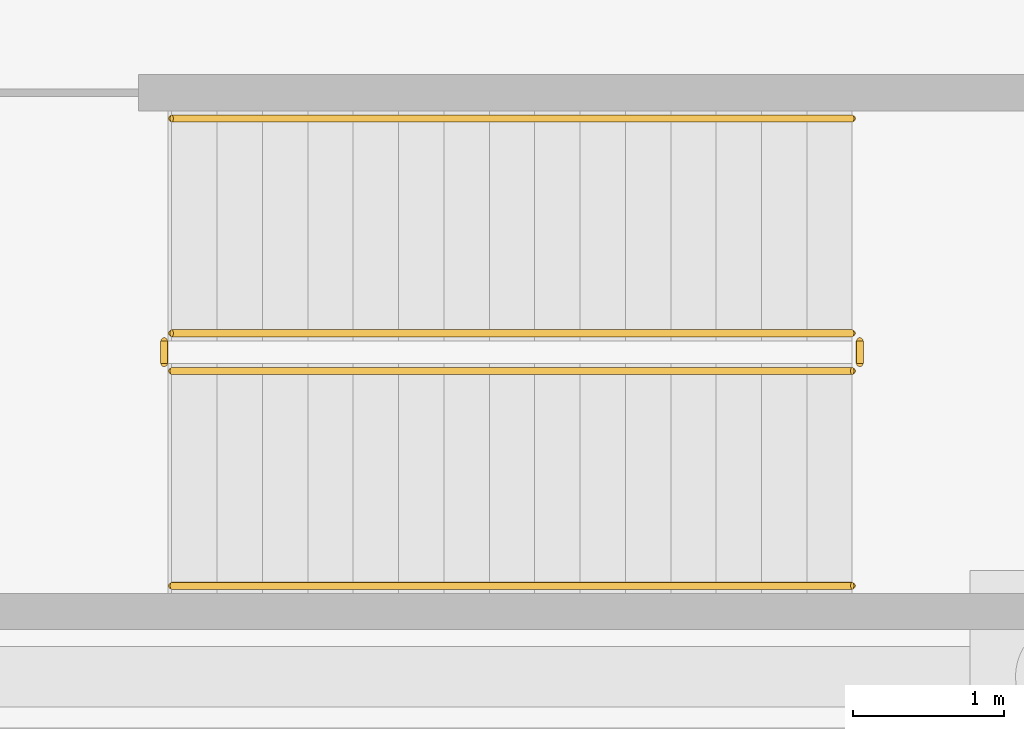
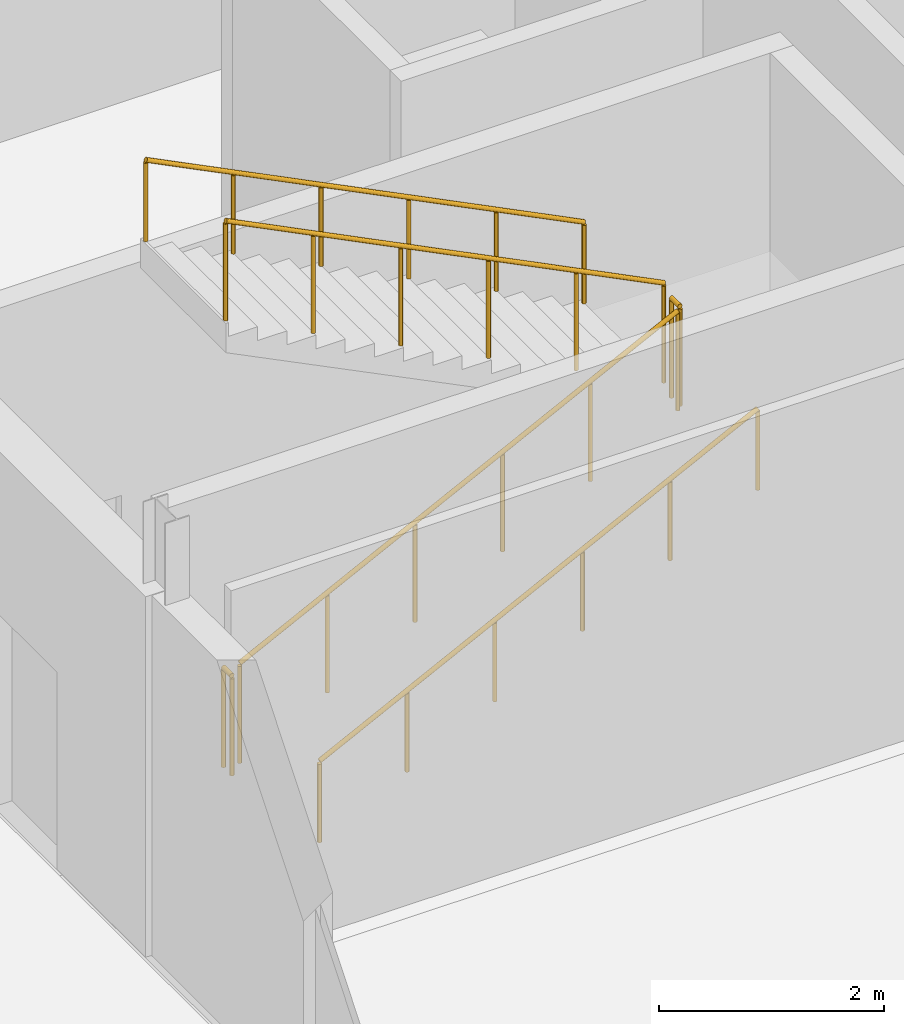
# One storey, part 109 of 112: 6 railings.
"""IFC4 building model written with IfcOpenShell, lengths in metres."""

from ifc_helpers import new_model, si_unit, direction, frame, origin, origin_2d, place, context, subcontext, project, spatial, circle, extrude, material, type_object, element, save


model = new_model("IFC4")

# Units and contexts
model_context = context("Model", 3, precision=1e-05, world=origin(), true_north=direction((0.0, 1.0)))
body_context = subcontext(model_context, "Body", "Model", "MODEL_VIEW")
ifc_project = project(units=[si_unit("LENGTHUNIT", "METRE"), si_unit("AREAUNIT", "SQUARE_METRE"), si_unit("VOLUMEUNIT", "CUBIC_METRE"), si_unit("PLANEANGLEUNIT", "RADIAN"), si_unit("MASSUNIT", "GRAM", prefix="KILO")], contexts=[model_context])

# Site, building, storey
site_placement = place(None, origin())
site = spatial("IfcSite", under=ifc_project, at=site_placement, CompositionType="ELEMENT")
building_placement = place(site_placement, origin())
building = spatial("IfcBuilding", under=site, at=building_placement, Name="Tharagai Park Tramway Depot", CompositionType="ELEMENT")
storey_placement = place(building_placement, origin())
storey = spatial("IfcBuildingStorey", under=building, at=storey_placement, Name="L00", CompositionType="ELEMENT", Elevation=0.0)

# Railings
ifc_material = material(Name="Galvanised steel", Category="steel")
railing_type_1 = type_object("IfcRailingType", Name="HR-02", PredefinedType="GUARDRAIL", material=ifc_material)
railing_1_placement = place(storey_placement, frame((163.919921875, 101.02001953125, 0.14990234375)))
element("IfcRailing", 1, at=railing_1_placement, inside=storey, type_object=railing_type_1, Name="L00 ST-12 stair guard 1", PredefinedType="GUARDRAIL", context=body_context, shape_type="SweptSolid", body=[
    extrude(circle(Radius=0.02392578125, at=origin_2d()), frame((0.0, 0.0, 1.076171875), z_axis=(0.894427191, 0.0, 0.4472135955), x_axis=(0.0, 1.0, 0.0)), (0.0, 0.0, 1.0), 5.03125),
    extrude(circle(Radius=0.02099609375, at=origin_2d()), origin(), (0.0, 0.0, 1.0), 1.052001953125),
    extrude(circle(Radius=0.02099609375, at=origin_2d()), frame((0.89990234375, 0.0, 0.449951171875)), (0.0, 0.0, 1.0), 1.052001953125),
    extrude(circle(Radius=0.02099609375, at=origin_2d()), frame((1.800048828125, 0.0, 0.89990234375)), (0.0, 0.0, 1.0), 1.052001953125),
    extrude(circle(Radius=0.02099609375, at=origin_2d()), frame((2.699951171875, 0.0, 1.35009765625)), (0.0, 0.0, 1.0), 1.052001953125),
    extrude(circle(Radius=0.02099609375, at=origin_2d()), frame((3.60009765625, 0.0, 1.800048828125)), (0.0, 0.0, 1.0), 1.052001953125),
    extrude(circle(Radius=0.02099609375, at=origin_2d()), frame((4.5, 0.0, 2.25)), (0.0, 0.0, 1.0), 1.052001953125),
])
railing_2_placement = place(storey_placement, frame((168.469970703125, 101.070068359375, 2.39990234375)))
element("IfcRailing", 2, at=railing_2_placement, inside=storey, type_object=railing_type_1, Name="L00 ST-12 stair guard 2", PredefinedType="GUARDRAIL", context=body_context, shape_type="SweptSolid", body=[
    extrude(circle(Radius=0.02392578125, at=origin_2d()), frame((0.0, 0.0, 1.076171875), z_axis=(0.0, 1.0, 0.0), x_axis=(-1.0, 0.0, 0.0)), (0.0, 0.0, 1.0), 0.14990234375),
    extrude(circle(Radius=0.02099609375, at=origin_2d()), origin(), (0.0, 0.0, 1.0), 1.052001953125),
    extrude(circle(Radius=0.02099609375, at=origin_2d()), frame((0.0, 0.14990234375, 0.0)), (0.0, 0.0, 1.0), 1.052001953125),
])
railing_3_placement = place(storey_placement, frame((168.419921875, 101.27001953125, 2.550048828125)))
element("IfcRailing", 3, at=railing_3_placement, inside=storey, type_object=railing_type_1, Name="L00 ST-12 stair guard 3", PredefinedType="GUARDRAIL", context=body_context, shape_type="SweptSolid", body=[
    extrude(circle(Radius=0.02392578125, at=origin_2d()), frame((0.0, 0.0, 1.076171875), z_axis=(-0.894427191, 0.0, 0.4472135955), x_axis=(0.0, -1.0, 0.0)), (0.0, 0.0, 1.0), 5.03125),
    extrude(circle(Radius=0.02099609375, at=origin_2d()), origin(), (0.0, 0.0, 1.0), 1.052001953125),
    extrude(circle(Radius=0.02099609375, at=origin_2d()), frame((-0.89990234375, 0.0, 0.449951171875)), (0.0, 0.0, 1.0), 1.052001953125),
    extrude(circle(Radius=0.02099609375, at=origin_2d()), frame((-1.800048828125, 0.0, 0.89990234375)), (0.0, 0.0, 1.0), 1.052001953125),
    extrude(circle(Radius=0.02099609375, at=origin_2d()), frame((-2.699951171875, 0.0, 1.35009765625)), (0.0, 0.0, 1.0), 1.052001953125),
    extrude(circle(Radius=0.02099609375, at=origin_2d()), frame((-3.60009765625, 0.0, 1.800048828125)), (0.0, 0.0, 1.0), 1.052001953125),
    extrude(circle(Radius=0.02099609375, at=origin_2d()), frame((-4.5, 0.0, 2.25)), (0.0, 0.0, 1.0), 1.052001953125),
])
railing_4_placement = place(storey_placement, frame((163.8701171875, 101.070068359375, 0.0)))
element("IfcRailing", 4, at=railing_4_placement, inside=storey, type_object=railing_type_1, Name="L00 ST-12 stair guard 4", PredefinedType="GUARDRAIL", context=body_context, shape_type="SweptSolid", body=[
    extrude(circle(Radius=0.02392578125, at=origin_2d()), frame((0.0, 0.0, 1.076171875), z_axis=(0.0, 1.0, 0.0), x_axis=(-1.0, 0.0, 0.0)), (0.0, 0.0, 1.0), 0.14990234375),
    extrude(circle(Radius=0.02099609375, at=origin_2d()), origin(), (0.0, 0.0, 1.0), 1.052001953125),
    extrude(circle(Radius=0.02099609375, at=origin_2d()), frame((0.0, 0.14990234375, 0.0)), (0.0, 0.0, 1.0), 1.052001953125),
])
railing_type_2 = type_object("IfcRailingType", Name="HR-03", PredefinedType="HANDRAIL", material=ifc_material)
railing_5_placement = place(storey_placement, frame((163.919921875, 99.60009765625, 0.14990234375)))
element("IfcRailing", 5, at=railing_5_placement, inside=storey, type_object=railing_type_2, Name="L00 ST-12 stair handrail 1", PredefinedType="HANDRAIL", context=body_context, shape_type="SweptSolid", body=[
    extrude(circle(Radius=0.02392578125, at=origin_2d()), frame((0.0, 0.0, 0.8759765625), z_axis=(0.894427191, 0.0, 0.4472135955), x_axis=(0.0, 1.0, 0.0)), (0.0, 0.0, 1.0), 5.03125),
    extrude(circle(Radius=0.02099609375, at=origin_2d()), origin(), (0.0, 0.0, 1.0), 0.851806640625),
    extrude(circle(Radius=0.02099609375, at=origin_2d()), frame((0.89990234375, 0.0, 0.449951171875)), (0.0, 0.0, 1.0), 0.851806640625),
    extrude(circle(Radius=0.02099609375, at=origin_2d()), frame((1.800048828125, 0.0, 0.89990234375)), (0.0, 0.0, 1.0), 0.851806640625),
    extrude(circle(Radius=0.02099609375, at=origin_2d()), frame((2.699951171875, 0.0, 1.35009765625)), (0.0, 0.0, 1.0), 0.851806640625),
    extrude(circle(Radius=0.02099609375, at=origin_2d()), frame((3.60009765625, 0.0, 1.800048828125)), (0.0, 0.0, 1.0), 0.851806640625),
    extrude(circle(Radius=0.02099609375, at=origin_2d()), frame((4.5, 0.0, 2.25)), (0.0, 0.0, 1.0), 0.851806640625),
])
railing_6_placement = place(storey_placement, frame((168.419921875, 102.68994140625, 2.550048828125)))
element("IfcRailing", 6, at=railing_6_placement, inside=storey, type_object=railing_type_2, Name="L00 ST-12 stair handrail 2", PredefinedType="HANDRAIL", context=body_context, shape_type="SweptSolid", body=[
    extrude(circle(Radius=0.02392578125, at=origin_2d()), frame((0.0, 0.0, 0.8759765625), z_axis=(-0.894427191, 0.0, 0.4472135955), x_axis=(0.0, -1.0, 0.0)), (0.0, 0.0, 1.0), 5.03125),
    extrude(circle(Radius=0.02099609375, at=origin_2d()), origin(), (0.0, 0.0, 1.0), 0.851806640625),
    extrude(circle(Radius=0.02099609375, at=origin_2d()), frame((-0.89990234375, 0.0, 0.449951171875)), (0.0, 0.0, 1.0), 0.851806640625),
    extrude(circle(Radius=0.02099609375, at=origin_2d()), frame((-1.800048828125, 0.0, 0.89990234375)), (0.0, 0.0, 1.0), 0.851806640625),
    extrude(circle(Radius=0.02099609375, at=origin_2d()), frame((-2.699951171875, 0.0, 1.35009765625)), (0.0, 0.0, 1.0), 0.851806640625),
    extrude(circle(Radius=0.02099609375, at=origin_2d()), frame((-3.60009765625, 0.0, 1.800048828125)), (0.0, 0.0, 1.0), 0.851806640625),
    extrude(circle(Radius=0.02099609375, at=origin_2d()), frame((-4.5, 0.0, 2.25)), (0.0, 0.0, 1.0), 0.851806640625),
])

save(model, "model.ifc")
